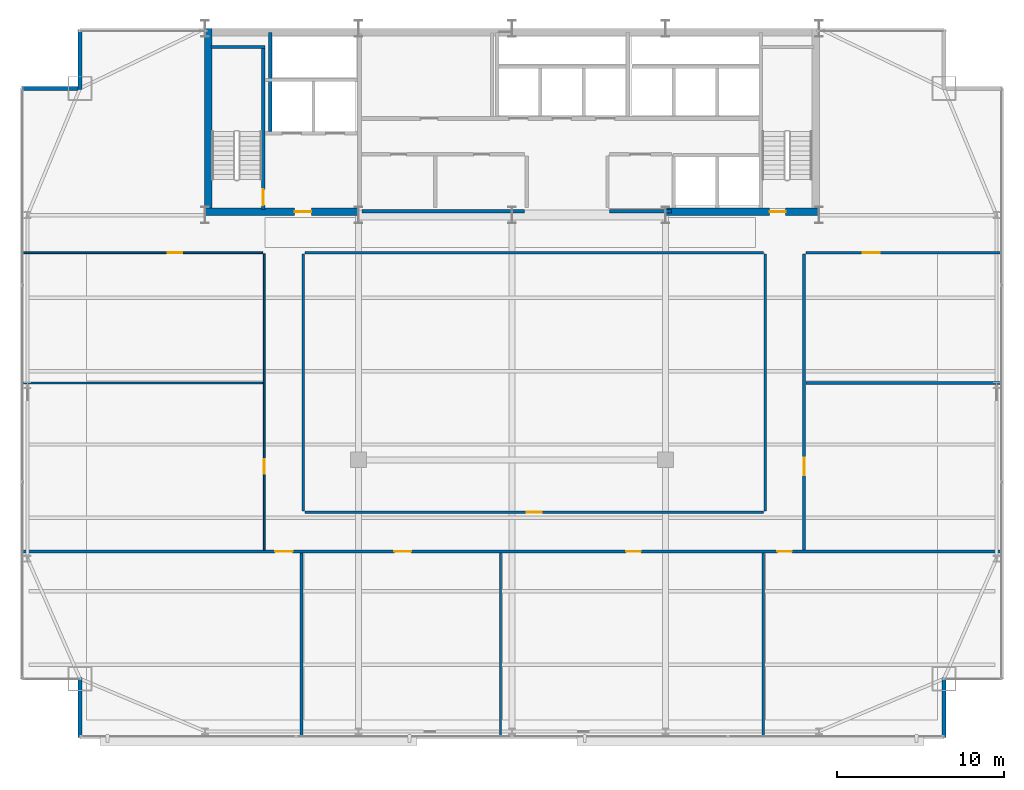
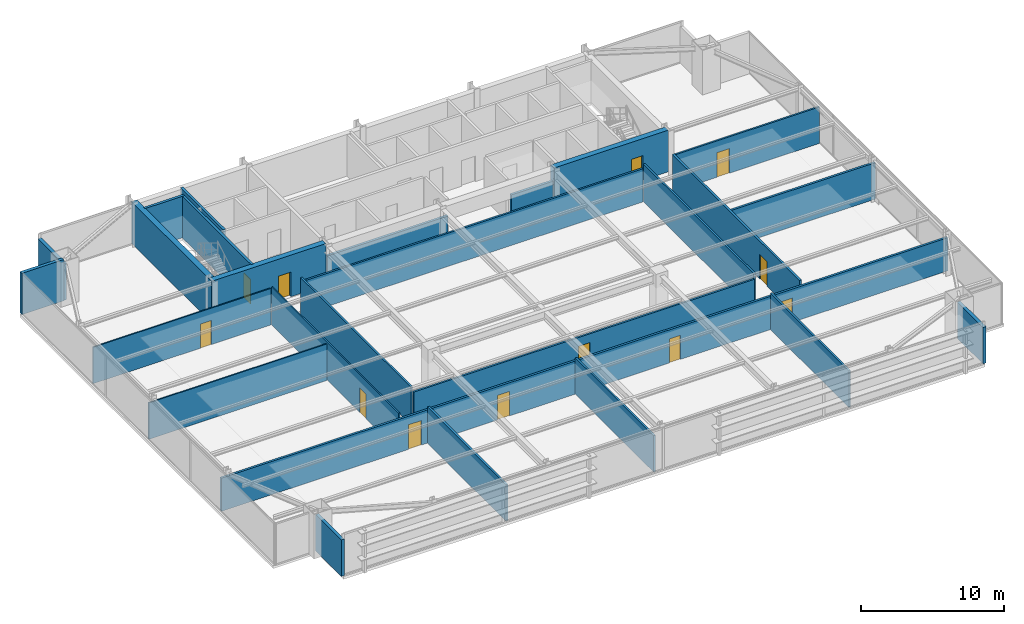
# One storey, part 29 of 33: 26 walls, 12 doors, 12 openings.
"""IFC4 building model written with IfcOpenShell, lengths in metres."""

import ifcopenshell
import ifcopenshell.guid

model = None  # the IFC model being written
_history = None  # IfcOwnerHistory: only IFC2X3 demands one
_inside = {}  # id of a spatial element -> (the spatial element, [elements in it])
_under = {}  # id of a project, library or spatial element -> (it, [spatial elements below it])
_declared = {}  # id of a project -> (the project, [libraries it declares])
_typed = {}  # id of a type object -> (the type object, [elements of that type])
_made_of = {}  # id of a material, layer set ... -> (it, [elements and type objects made of it])


def new_model(schema):
    """Start an empty IFC model of exactly this schema.

    Asked for "IFC4X3", IfcOpenShell would pick the latest addendum, in which some entities
    have other attributes; the version numbers below select the first issue.
    IFC2X3 requires an IfcOwnerHistory on every rooted entity: one is made here for all.
    """
    global model, _history
    if schema == "IFC4X3":
        model = ifcopenshell.file(schema_version=(4, 3, 0, 0))
    else:
        model = ifcopenshell.file(schema=schema)
    _inside.clear()
    _under.clear()
    _declared.clear()
    _typed.clear()
    _made_of.clear()
    _history = None
    if model.schema == "IFC2X3":
        org = make("IfcOrganization", Name="unknown")
        user = make(
            "IfcPersonAndOrganization",
            ThePerson=make("IfcPerson", FamilyName="unknown"),
            TheOrganization=org,
        )
        app = make(
            "IfcApplication",
            ApplicationDeveloper=org,
            Version="unknown",
            ApplicationFullName="unknown",
            ApplicationIdentifier="unknown",
        )
        _history = make(
            "IfcOwnerHistory",
            OwningUser=user,
            OwningApplication=app,
            ChangeAction="ADDED",
            CreationDate=0,
        )
    return model


def make(cls, **values):
    """One entity of the class cls with the attributes given. An attribute that is None is left unset."""
    return model.create_entity(
        cls, **{name: value for name, value in values.items() if value is not None}
    )


def rooted(cls, **values):
    """An entity with a GlobalId (a new one), such as an element, a storey or a relation."""
    return make(cls, GlobalId=ifcopenshell.guid.new(), OwnerHistory=_history, **values)


def si_unit(unit_type, name, prefix=None):
    """IfcSIUnit, for example si_unit("LENGTHUNIT", "METRE", prefix="MILLI")."""
    return make("IfcSIUnit", UnitType=unit_type, Prefix=prefix, Name=name)


def assignment(units):
    """IfcUnitAssignment: the units of a project."""
    return None if units is None else make("IfcUnitAssignment", Units=units)


def point(xyz):
    """IfcCartesianPoint."""
    return None if xyz is None else make("IfcCartesianPoint", Coordinates=xyz)


def direction(xyz):
    """IfcDirection."""
    return None if xyz is None else make("IfcDirection", DirectionRatios=xyz)


def frame(location, z_axis=None, x_axis=None):
    """IfcAxis2Placement3D, a coordinate frame: its origin and axes. An axis left out is left unset."""
    return make(
        "IfcAxis2Placement3D",
        Location=point(location),
        Axis=direction(z_axis),
        RefDirection=direction(x_axis),
    )


def frame_2d(location, x_axis=None):
    """IfcAxis2Placement2D, a coordinate frame in the plane: its origin and x axis."""
    return make(
        "IfcAxis2Placement2D", Location=point(location), RefDirection=direction(x_axis)
    )


def origin():
    """The frame at (0, 0, 0) with its axes left unset."""
    return frame((0.0, 0.0, 0.0))


def place(relative_to, where):
    """IfcLocalPlacement: puts the frame where relative to a parent placement (None: the world)."""
    return make(
        "IfcLocalPlacement", PlacementRelTo=relative_to, RelativePlacement=where
    )


def context(
    kind, dimensions, precision=None, world=None, true_north=None, identifier=None
):
    """IfcGeometricRepresentationContext, for example the 3D "Model" context."""
    return make(
        "IfcGeometricRepresentationContext",
        ContextIdentifier=identifier,
        ContextType=kind,
        CoordinateSpaceDimension=dimensions,
        Precision=precision,
        WorldCoordinateSystem=world,
        TrueNorth=true_north,
    )


def subcontext(parent, identifier, kind, view, scale=None):
    """IfcGeometricRepresentationSubContext, for example "Body" below "Model"."""
    return make(
        "IfcGeometricRepresentationSubContext",
        ContextIdentifier=identifier,
        ContextType=kind,
        ParentContext=parent,
        TargetScale=scale,
        TargetView=view,
    )


def project(units=None, contexts=None):
    """IfcProject with its units and contexts."""
    return rooted(
        "IfcProject",
        Name="project",
        RepresentationContexts=contexts,
        UnitsInContext=assignment(units),
    )


def spatial(cls, under=None, at=None, **own):
    """A site, building, storey or space (cls), placed at a placement, below another one or the project."""
    s = rooted(cls, ObjectPlacement=at, **own)
    if under is not None:
        _under.setdefault(under.id(), (under, []))[1].append(s)
    return s


def profile(cls, at=None, kind="AREA", **sizes):
    """A parametric profile (cls). Its sizes go by their IFC names, for example OverallWidth=200.0."""
    return make(cls, ProfileType=kind, Position=at, **sizes)


def rectangle(**sizes):
    """IfcRectangleProfileDef."""
    return profile("IfcRectangleProfileDef", **sizes)


def extrude(swept, where, along, depth):
    """IfcExtrudedAreaSolid: the profile swept, set in the frame where, extruded along a direction by depth."""
    return make(
        "IfcExtrudedAreaSolid",
        SweptArea=swept,
        Position=where,
        ExtrudedDirection=direction(along),
        Depth=depth,
    )


def shape(context_of_items, identifier, shape_type, items):
    """IfcShapeRepresentation: the items that make up one representation, for example the "Body"."""
    return make(
        "IfcShapeRepresentation",
        ContextOfItems=context_of_items,
        RepresentationIdentifier=identifier,
        RepresentationType=shape_type,
        Items=items,
    )


def source(mapping_origin, context_of_items, identifier, shape_type, items):
    """IfcRepresentationMap: a shape defined once, which mapped items show again and again."""
    return make(
        "IfcRepresentationMap",
        MappingOrigin=mapping_origin,
        MappedRepresentation=shape(context_of_items, identifier, shape_type, items),
    )


def transform(
    local_origin,
    x_axis=None,
    y_axis=None,
    z_axis=None,
    scale=None,
    scale2=None,
    scale3=None,
    uniform=True,
):
    """IfcCartesianTransformationOperator3D, or its non-uniform kind. x_axis, y_axis, z_axis: its Axis1, 2, 3."""
    if uniform:
        return make(
            "IfcCartesianTransformationOperator3D",
            Axis1=direction(x_axis),
            Axis2=direction(y_axis),
            LocalOrigin=point(local_origin),
            Scale=scale,
            Axis3=direction(z_axis),
        )
    return make(
        "IfcCartesianTransformationOperator3DnonUniform",
        Axis1=direction(x_axis),
        Axis2=direction(y_axis),
        LocalOrigin=point(local_origin),
        Scale=scale,
        Axis3=direction(z_axis),
        Scale2=scale2,
        Scale3=scale3,
    )


def mapped(mapping_source, mapping_target):
    """IfcMappedItem: shows the shape of a source again, moved by a transform."""
    return make(
        "IfcMappedItem", MappingSource=mapping_source, MappingTarget=mapping_target
    )


def material(Name=None, Category=None):
    """IfcMaterial."""
    return make("IfcMaterial", Name=Name, Category=Category)


def layer(
    of_material, thickness, ventilated=None, Name=None, Category=None, Priority=None
):
    """IfcMaterialLayer: one layer of a wall or slab, of a material (None: an air gap)."""
    return make(
        "IfcMaterialLayer",
        Material=of_material,
        LayerThickness=thickness,
        IsVentilated=ventilated,
        Name=Name,
        Category=Category,
        Priority=Priority,
    )


def layer_set(layers, Name=None):
    """IfcMaterialLayerSet."""
    return make("IfcMaterialLayerSet", MaterialLayers=layers, LayerSetName=Name)


def made_of(thing, what):
    """Note that an element or type object is made of a material, layer set ...; save() writes the relation."""
    if what is not None:
        _made_of.setdefault(what.id(), (what, []))[1].append(thing)
    return thing


def type_object(cls, material=None, **own):
    """A type object (cls), such as IfcWallType, which elements share."""
    return made_of(rooted(cls, **own), material)


def type_shapes(of_type, sources):
    """Give a type object the sources (RepresentationMaps) that its elements show as mapped items."""
    of_type.RepresentationMaps = sources


def element(
    cls,
    number,
    at=None,
    inside=None,
    cuts=None,
    type_object=None,
    material=None,
    context=None,
    identifier="Body",
    shape_type=None,
    held_by="IfcProductDefinitionShape",
    body=None,
    shapes=None,
    **own,
):
    """One element of the class cls, such as IfcWall. Its Tag is "e" and its number.

    at: its placement. inside: the storey or other place that contains it. cuts: it is an
    opening in that element (IfcRelVoidsElement). A single representation is given by context,
    identifier, shape_type and body (its items); several are given by shapes. held_by: the class
    of the entity that holds the representations. save() writes the other relations.
    """
    e = rooted(cls, Tag="e%d" % number, ObjectPlacement=at, **own)
    if body is not None:
        shapes = [shape(context, identifier, shape_type, body)]
    if shapes is not None:
        e.Representation = make(held_by, Representations=shapes)
    if inside is not None:
        _inside.setdefault(inside.id(), (inside, []))[1].append(e)
    if cuts is not None:
        rooted(
            "IfcRelVoidsElement", RelatingBuildingElement=cuts, RelatedOpeningElement=e
        )
    if type_object is not None:
        _typed.setdefault(type_object.id(), (type_object, []))[1].append(e)
    return made_of(e, material)


def fill(opening, filler):
    """IfcRelFillsElement: the door or window that sits in an opening."""
    return rooted(
        "IfcRelFillsElement",
        RelatingOpeningElement=opening,
        RelatedBuildingElement=filler,
    )


def aggregate(whole, parts):
    """IfcRelAggregates: a whole, such as a stair, and the parts it consists of."""
    return rooted("IfcRelAggregates", RelatingObject=whole, RelatedObjects=parts)


def save(model, path):
    """Write the relations noted so far, then the file.

    IfcRelAggregates (storeys below a building ...), IfcRelContainedInSpatialStructure (elements
    in a storey), IfcRelDefinesByType, IfcRelAssociatesMaterial and IfcRelDeclares: one each for
    every whole, place, type object, material and project.
    """
    for whole, parts in _under.values():
        aggregate(whole, parts)
    for where, things in _inside.values():
        rooted(
            "IfcRelContainedInSpatialStructure",
            RelatedElements=things,
            RelatingStructure=where,
        )
    for kind, things in _typed.values():
        rooted("IfcRelDefinesByType", RelatedObjects=things, RelatingType=kind)
    for what, things in _made_of.values():
        rooted("IfcRelAssociatesMaterial", RelatedObjects=things, RelatingMaterial=what)
    for by, libraries in _declared.values():
        rooted("IfcRelDeclares", RelatingContext=by, RelatedDefinitions=libraries)
    model.write(path)


model = new_model("IFC4")

# Units and contexts
model_context = context("Model", 3, precision=1e-05, world=origin(), true_north=direction((0.0, 1.0)))
body_context = subcontext(model_context, "Body", "Model", "MODEL_VIEW")
ifc_project = project(units=[si_unit("LENGTHUNIT", "METRE"), si_unit("AREAUNIT", "SQUARE_METRE"), si_unit("VOLUMEUNIT", "CUBIC_METRE"), si_unit("PLANEANGLEUNIT", "RADIAN"), si_unit("MASSUNIT", "GRAM", prefix="KILO")], contexts=[model_context])

# Site, building, storey
site_placement = place(None, origin())
site = spatial("IfcSite", under=ifc_project, at=site_placement, CompositionType="ELEMENT")
building_placement = place(site_placement, origin())
building = spatial("IfcBuilding", under=site, at=building_placement, Name="Varnel Quay Broadcast Tower", CompositionType="ELEMENT")
storey_placement = place(building_placement, frame((0.0, 0.0, 129.60009765625)))
storey = spatial("IfcBuildingStorey", under=building, at=storey_placement, Name="L31", CompositionType="ELEMENT", Elevation=129.60009765625)

# Wall, opening, door
ifc_material_1 = material(Name="Concrete CSA A23.3 C50/60", Category="concrete")
ifc_layer_1 = layer(ifc_material_1, 0.199951171875, Name="Concrete CSA A23.3 C50/60")
ifc_layer_set_1 = layer_set([ifc_layer_1], Name="Concrete CSA A23.3 C50/60")
wall_type_1 = type_object("IfcWallType", Name="Wall_CoreShaftShear200", PredefinedType="SHEAR", material=ifc_layer_set_1)
wall_1_placement = place(storey_placement, frame((19.080078125, 35.949951171875, 0.0), z_axis=(0.0, 0.0, 1.0), x_axis=(0.0, 1.0, 0.0)))
wall_1 = element("IfcWall", 1, at=wall_1_placement, inside=storey, type_object=wall_type_1, Name="L31 Stair 1 East Structural Wall", PredefinedType="SHEAR", context=body_context, shape_type="SweptSolid", body=[
    extrude(rectangle(XDim=9.650146484375, YDim=0.199951171875, at=frame_2d((4.8251953125, 0.0))), origin(), (0.0, 0.0, 1.0), 3.5498046875),
])
opening_1_placement = place(wall_1_placement, frame((0.25, 0.0, 0.0)))
opening_1 = element("IfcOpeningElement", 2, at=opening_1_placement, cuts=wall_1, Name="Opening D-L31-S1", PredefinedType="OPENING", context=body_context, shape_type="SweptSolid", body=[
    extrude(rectangle(XDim=0.949951171875, YDim=2.10009765625, at=frame_2d((0.47509765625, 1.050048828125))), frame((0.0, 0.10986328125, 0.0), z_axis=(0.0, -1.0, 0.0), x_axis=(1.0, 0.0, 0.0)), (0.0, 0.0, 1.0), 0.219970703125),
])
ifc_material_2 = material(Name="Insulated Fire-Rated Hollow Steel Door", Category="steel")
door_type_1 = type_object("IfcDoorType", Name="Door_FireStair950", OperationType="NOTDEFINED", PredefinedType="DOOR", material=ifc_material_2)
shared_shape_1 = source(origin(), body_context, "Body", "SweptSolid", [
    extrude(rectangle(XDim=0.949951171875, YDim=2.10009765625, at=frame_2d((0.47509765625, 1.050048828125))), frame((0.0, 0.02490234375, 0.0), z_axis=(0.0, -1.0, 0.0), x_axis=(1.0, 0.0, 0.0)), (0.0, 0.0, 1.0), 0.050048828125),
])
type_shapes(door_type_1, [shared_shape_1])
door_1_placement = place(opening_1_placement, origin())
door_1 = element("IfcDoor", 3, at=door_1_placement, inside=storey, type_object=door_type_1, Name="L31 Stair 1 Fire Door", OperationType="SINGLE_SWING_LEFT", OverallHeight=2.10009765625, OverallWidth=0.949951171875, PredefinedType="DOOR", context=body_context, shape_type="MappedRepresentation", body=[
    mapped(shared_shape_1, transform((0.0, 0.0, 0.0), x_axis=(1.0, 0.0, 0.0), y_axis=(0.0, 1.0, 0.0), z_axis=(0.0, 0.0, 1.0), scale=1.0)),
])
fill(opening_1, door_1)

# Walls
wall_2_placement = place(storey_placement, frame((15.949951171875, 45.679931640625, 0.0), z_axis=(0.0, 0.0, 1.0), x_axis=(1.0, 0.0, 0.0)))
element("IfcWall", 4, at=wall_2_placement, inside=storey, type_object=wall_type_1, Name="L31 Stair 1 North Structural Wall", PredefinedType="SHEAR", context=body_context, shape_type="SweptSolid", body=[
    extrude(rectangle(XDim=3.22998046875, YDim=0.199951171875, at=frame_2d((1.614990234375, 0.0))), origin(), (0.0, 0.0, 1.0), 3.5498046875),
])
wall_3_placement = place(storey_placement, frame((19.5, 40.60009765625, 0.0), z_axis=(0.0, 0.0, 1.0), x_axis=(0.0, 1.0, 0.0)))
element("IfcWall", 5, at=wall_3_placement, inside=storey, type_object=wall_type_1, Name="L31 Firefighter Lift Shaft West Wall", PredefinedType="SHEAR", context=body_context, shape_type="SweptSolid", body=[
    extrude(rectangle(XDim=5.949951171875, YDim=0.199951171875, at=frame_2d((2.97509765625, 0.0))), origin(), (0.0, 0.0, 1.0), 3.5498046875),
])
ifc_material_3 = material(Name="Concrete CSA A23.3 C60/75", Category="concrete")
ifc_layer_2 = layer(ifc_material_3, 0.449951171875, Name="Concrete CSA A23.3 C60/75")
ifc_layer_set_2 = layer_set([ifc_layer_2], Name="Concrete CSA A23.3 C60/75")
wall_type_2 = type_object("IfcWallType", Name="Wall_CoreShearInt450", PredefinedType="SHEAR", material=ifc_layer_set_2)
wall_4_placement = place(storey_placement, frame((15.794921875, 35.570068359375, 0.0), z_axis=(0.0, 0.0, 1.0), x_axis=(0.0, 1.0, 0.0)))
element("IfcWall", 6, at=wall_4_placement, inside=storey, type_object=wall_type_2, Name="L31 West Core Shear Wall", PredefinedType="SHEAR", context=body_context, shape_type="SweptSolid", body=[
    extrude(rectangle(XDim=11.22998046875, YDim=0.449951171875, at=frame_2d((5.614990234375, 0.0))), origin(), (0.0, 0.0, 1.0), 3.5498046875),
])

# Wall, opening, door
wall_5_placement = place(storey_placement, frame((15.570068359375, 35.794921875, 0.0), z_axis=(0.0, 0.0, 1.0), x_axis=(1.0, 0.0, 0.0)))
wall_5 = element("IfcWall", 7, at=wall_5_placement, inside=storey, type_object=wall_type_2, Name="L31 South-West Core Shear Wall", PredefinedType="SHEAR", context=body_context, shape_type="SweptSolid", body=[
    extrude(rectangle(XDim=9.22998046875, YDim=0.449951171875, at=frame_2d((4.614990234375, 0.0))), origin(), (0.0, 0.0, 1.0), 3.5498046875),
])
opening_2_placement = place(wall_5_placement, frame((5.39990234375, 0.0, 0.0)))
opening_2 = element("IfcOpeningElement", 8, at=opening_2_placement, cuts=wall_5, Name="Opening D-L31-FFL", PredefinedType="OPENING", context=body_context, shape_type="SweptSolid", body=[
    extrude(rectangle(XDim=1.0, YDim=2.10009765625, at=frame_2d((0.5, 1.050048828125))), frame((0.0, 0.23486328125, 0.0), z_axis=(0.0, -1.0, 0.0), x_axis=(1.0, 0.0, 0.0)), (0.0, 0.0, 1.0), 0.469970703125),
])
door_type_2 = type_object("IfcDoorType", Name="Door_FireLobby1000", OperationType="NOTDEFINED", PredefinedType="DOOR", material=ifc_material_2)
shared_shape_2 = source(origin(), body_context, "Body", "SweptSolid", [
    extrude(rectangle(XDim=1.0, YDim=2.10009765625, at=frame_2d((0.5, 1.050048828125))), frame((0.0, 0.02490234375, 0.0), z_axis=(0.0, -1.0, 0.0), x_axis=(1.0, 0.0, 0.0)), (0.0, 0.0, 1.0), 0.050048828125),
])
type_shapes(door_type_2, [shared_shape_2])
door_2_placement = place(opening_2_placement, origin())
door_2 = element("IfcDoor", 9, at=door_2_placement, inside=storey, type_object=door_type_2, Name="L31 Firefighting Lobby Door", OperationType="SINGLE_SWING_RIGHT", OverallHeight=2.10009765625, OverallWidth=1.0, PredefinedType="DOOR", context=body_context, shape_type="MappedRepresentation", body=[
    mapped(shared_shape_2, transform((0.0, 0.0, 0.0), x_axis=(1.0, 0.0, 0.0), y_axis=(0.0, 1.0, 0.0), z_axis=(0.0, 0.0, 1.0), scale=1.0)),
])
fill(opening_2, door_2)

wall_6_placement = place(storey_placement, frame((43.199951171875, 35.794921875, 0.0), z_axis=(0.0, 0.0, 1.0), x_axis=(1.0, 0.0, 0.0)))
wall_6 = element("IfcWall", 10, at=wall_6_placement, inside=storey, type_object=wall_type_2, Name="L31 South-East Core Shear Wall", PredefinedType="SHEAR", context=body_context, shape_type="SweptSolid", body=[
    extrude(rectangle(XDim=9.22998046875, YDim=0.449951171875, at=frame_2d((4.614990234375, 0.0))), origin(), (0.0, 0.0, 1.0), 3.5498046875),
])
opening_3_placement = place(wall_6_placement, frame((6.25, 0.0, 0.0)))
opening_3 = element("IfcOpeningElement", 11, at=opening_3_placement, cuts=wall_6, Name="Opening D-L31-S2", PredefinedType="OPENING", context=body_context, shape_type="SweptSolid", body=[
    extrude(rectangle(XDim=0.949951171875, YDim=2.10009765625, at=frame_2d((0.47509765625, 1.050048828125))), frame((0.0, 0.23486328125, 0.0), z_axis=(0.0, -1.0, 0.0), x_axis=(1.0, 0.0, 0.0)), (0.0, 0.0, 1.0), 0.469970703125),
])
door_3_placement = place(opening_3_placement, origin())
door_3 = element("IfcDoor", 12, at=door_3_placement, inside=storey, type_object=door_type_1, Name="L31 Stair 2 Fire Door", OperationType="SINGLE_SWING_LEFT", OverallHeight=2.10009765625, OverallWidth=0.949951171875, PredefinedType="DOOR", context=body_context, shape_type="MappedRepresentation", body=[
    mapped(shared_shape_1, transform((0.0, 0.0, 0.0), x_axis=(1.0, 0.0, 0.0), y_axis=(0.0, 1.0, 0.0), z_axis=(0.0, 0.0, 1.0), scale=1.0)),
])
fill(opening_3, door_3)

# Walls
ifc_material_4 = material(Name="Precast Architectural Concrete C40/50", Category="concrete")
ifc_layer_3 = layer(ifc_material_4, 0.25, Name="Precast Architectural Concrete C40/50")
ifc_layer_set_3 = layer_set([ifc_layer_3], Name="Precast Architectural Concrete C40/50")
wall_type_3 = type_object("IfcWallType", Name="Wall_ExtTerrace250", PredefinedType="SOLIDWALL", material=ifc_layer_set_3)
for number, where, z_axis, x_axis, name in (
    (13, (8.10009765625, 4.280029296875, 0.0), (0.0, 0.0, 1.0), (0.0, 1.0, 0.0), "L31 Mega-Column Notch Cladding Wall NSW2"),
    (14, (59.89990234375, 4.280029296875, 0.0), (0.0, 0.0, 1.0), (0.0, 1.0, 0.0), "L31 Mega-Column Notch Cladding Wall NSE2"),
):
    element("IfcWall", number, at=place(storey_placement, frame(where, z_axis=z_axis, x_axis=x_axis)), inside=storey, type_object=wall_type_3, Name=name, PredefinedType="SOLIDWALL", context=body_context, shape_type="SweptSolid", body=[
        extrude(rectangle(XDim=3.599853515625, YDim=0.25, at=frame_2d((1.7998046875, 0.0))), origin(), (0.0, 0.0, 1.0), 3.10791015625),
    ])
wall_7_placement = place(storey_placement, frame((4.580078125, 43.199951171875, 0.0), z_axis=(0.0, 0.0, 1.0), x_axis=(1.0, 0.0, 0.0)))
element("IfcWall", 15, at=wall_7_placement, inside=storey, type_object=wall_type_3, Name="L31 Mega-Column Notch Cladding Wall NNW1", PredefinedType="SOLIDWALL", context=body_context, shape_type="SweptSolid", body=[
    extrude(rectangle(XDim=3.389892578125, YDim=0.25, at=frame_2d((1.69482421875, 0.0))), origin(), (0.0, 0.0, 1.0), 3.52978515625),
])
wall_8_placement = place(storey_placement, frame((8.10009765625, 43.1201171875, 0.0), z_axis=(0.0, 0.0, 1.0), x_axis=(0.0, 1.0, 0.0)))
element("IfcWall", 16, at=wall_8_placement, inside=storey, type_object=wall_type_3, Name="L31 Mega-Column Notch Cladding Wall NNW2", PredefinedType="SOLIDWALL", context=body_context, shape_type="SweptSolid", body=[
    extrude(rectangle(XDim=3.599853515625, YDim=0.25, at=frame_2d((1.7998046875, 0.0))), origin(), (0.0, 0.0, 1.0), 3.10791015625),
])
ifc_material_5 = material(Name="Concrete Blockwork Fire Enclosure C40/50", Category="masonry")
ifc_layer_4 = layer(ifc_material_5, 0.199951171875, Name="Concrete Blockwork Fire Enclosure C40/50")
ifc_layer_set_4 = layer_set([ifc_layer_4], Name="Concrete Blockwork Fire Enclosure C40/50")
wall_type_4 = type_object("IfcWallType", Name="Wall_FireShaft200", PredefinedType="SOLIDWALL", material=ifc_layer_set_4)
wall_9_placement = place(storey_placement, frame((39.85009765625, 35.824951171875, 0.0), z_axis=(0.0, 0.0, 1.0), x_axis=(1.0, 0.0, 0.0)))
element("IfcWall", 17, at=wall_9_placement, inside=storey, type_object=wall_type_4, Name="L31 Electrical Sub-Distribution Closet Partition 5", PredefinedType="SOLIDWALL", context=body_context, shape_type="SweptSolid", body=[
    extrude(rectangle(XDim=3.699951171875, YDim=0.199951171875, at=frame_2d((1.85009765625, 0.0))), origin(), (0.0, 0.0, 1.0), 2.324951171875),
])

# Wall, opening, door
ifc_material_6 = material(Name="Steel-Stud Fire-Rated Acoustic Gypsum Partition Assembly", Category="steel")
ifc_layer_5 = layer(ifc_material_6, 0.10498046875, Name="Steel-Stud Fire-Rated Acoustic Gypsum Partition Assembly")
ifc_layer_set_5 = layer_set([ifc_layer_5], Name="Steel-Stud Fire-Rated Acoustic Gypsum Partition Assembly")
wall_type_5 = type_object("IfcWallType", Name="Wall_Partition105", PredefinedType="PARTITIONING", material=ifc_layer_set_5)
wall_10_placement = place(storey_placement, frame((19.139892578125, 15.51806640625, 0.0), z_axis=(0.0, 0.0, 1.0), x_axis=(0.0, 1.0, 0.0)))
wall_10 = element("IfcWall", 18, at=wall_10_placement, inside=storey, type_object=wall_type_5, Name="L31 Lens & Rigging Store 5 Partition 12", PredefinedType="PARTITIONING", context=body_context, shape_type="SweptSolid", body=[
    extrude(rectangle(XDim=17.779052734375, YDim=0.10498046875, at=frame_2d((8.8896484375, 0.0))), origin(), (0.0, 0.0, 1.0), 3.221923828125),
])
opening_4_placement = place(wall_10_placement, frame((4.572021484375, 0.0, 0.0)))
opening_4 = element("IfcOpeningElement", 19, at=opening_4_placement, cuts=wall_10, Name="Opening D-L31-08", PredefinedType="OPENING", context=body_context, shape_type="SweptSolid", body=[
    extrude(rectangle(XDim=0.8798828125, YDim=2.06005859375, at=frame_2d((0.43994140625, 1.030029296875))), frame((0.0, 0.0625, 0.0), z_axis=(0.0, -1.0, 0.0), x_axis=(1.0, 0.0, 0.0)), (0.0, 0.0, 1.0), 0.125),
])
ifc_material_7 = material(Name="Solid-Core Fire-Rated Acoustic Oak Veneer Door", Category="wood")
door_type_3 = type_object("IfcDoorType", Name="Door_Booth880", OperationType="NOTDEFINED", PredefinedType="DOOR", material=ifc_material_7)
shared_shape_3 = source(origin(), body_context, "Body", "SweptSolid", [
    extrude(rectangle(XDim=0.8798828125, YDim=2.06005859375, at=frame_2d((0.43994140625, 1.030029296875))), frame((0.0, 0.02490234375, 0.0), z_axis=(0.0, -1.0, 0.0), x_axis=(1.0, 0.0, 0.0)), (0.0, 0.0, 1.0), 0.050048828125),
])
type_shapes(door_type_3, [shared_shape_3])
door_4_placement = place(opening_4_placement, origin())
door_4 = element("IfcDoor", 20, at=door_4_placement, inside=storey, type_object=door_type_3, Name="L31 Lens & Rigging Store 5 Door D-L31-08", OperationType="SINGLE_SWING_RIGHT", OverallHeight=2.06005859375, OverallWidth=0.8798828125, PredefinedType="DOOR", context=body_context, shape_type="MappedRepresentation", body=[
    mapped(shared_shape_3, transform((0.0, 0.0, 0.0), x_axis=(1.0, 0.0, 0.0), y_axis=(0.0, 1.0, 0.0), z_axis=(0.0, 0.0, 1.0), scale=1.0)),
])
fill(opening_4, door_4)

# Wall
wall_11_placement = place(storey_placement, frame((4.679931640625, 25.530029296875, 0.0), z_axis=(0.0, 0.0, 1.0), x_axis=(1.0, 0.0, 0.0)))
element("IfcWall", 21, at=wall_11_placement, inside=storey, type_object=wall_type_5, Name="L31 Lens & Rigging Store 5 Partition 13", PredefinedType="PARTITIONING", context=body_context, shape_type="SweptSolid", body=[
    extrude(rectangle(XDim=14.360107421875, YDim=0.10498046875, at=frame_2d((7.18017578125, 0.0))), origin(), (0.0, 0.0, 1.0), 3.10791015625),
])

# Wall, opening, door
wall_12_placement = place(storey_placement, frame((4.679931640625, 33.35009765625, 0.0), z_axis=(0.0, 0.0, 1.0), x_axis=(1.0, 0.0, 0.0)))
wall_12 = element("IfcWall", 22, at=wall_12_placement, inside=storey, type_object=wall_type_5, Name="L31 Ingest Vault Store 6 Partition 14", PredefinedType="PARTITIONING", context=body_context, shape_type="SweptSolid", body=[
    extrude(rectangle(XDim=14.360107421875, YDim=0.10498046875, at=frame_2d((7.18017578125, 0.0))), origin(), (0.0, 0.0, 1.0), 3.10791015625),
])
opening_5_placement = place(wall_12_placement, frame((8.675048828125, 0.0, 0.0)))
opening_5 = element("IfcOpeningElement", 23, at=opening_5_placement, cuts=wall_12, Name="Opening D-L31-09", PredefinedType="OPENING", context=body_context, shape_type="SweptSolid", body=[
    extrude(rectangle(XDim=0.8798828125, YDim=2.06005859375, at=frame_2d((0.43994140625, 1.030029296875))), frame((0.0, 0.0625, 0.0), z_axis=(0.0, -1.0, 0.0), x_axis=(1.0, 0.0, 0.0)), (0.0, 0.0, 1.0), 0.125),
])
door_5_placement = place(opening_5_placement, frame((0.8798828125, 0.0, 0.0), z_axis=(0.0, 0.0, 1.0), x_axis=(-1.0, 0.0, 0.0)))
door_5 = element("IfcDoor", 24, at=door_5_placement, inside=storey, type_object=door_type_3, Name="L31 Ingest Vault Store 6 Door D-L31-09", OperationType="SINGLE_SWING_LEFT", OverallHeight=2.06005859375, OverallWidth=0.8798828125, PredefinedType="DOOR", context=body_context, shape_type="MappedRepresentation", body=[
    mapped(shared_shape_3, transform((0.0, 0.0, 0.0), x_axis=(1.0, 0.0, 0.0), y_axis=(0.0, 1.0, 0.0), z_axis=(0.0, 0.0, 1.0), scale=1.0)),
])
fill(opening_5, door_5)

# Wall
ifc_layer_6 = layer(ifc_material_6, 0.139892578125, Name="Steel-Stud Fire-Rated Acoustic Gypsum Partition Assembly")
ifc_layer_set_6 = layer_set([ifc_layer_6], Name="Steel-Stud Fire-Rated Acoustic Gypsum Partition Assembly")
wall_type_6 = type_object("IfcWallType", Name="Wall_Partition140", PredefinedType="PARTITIONING", material=ifc_layer_set_6)
wall_13_placement = place(storey_placement, frame((33.31005859375, 4.3798828125, 0.0), z_axis=(0.0, 0.0, 1.0), x_axis=(0.0, 1.0, 0.0)))
element("IfcWall", 25, at=wall_13_placement, inside=storey, type_object=wall_type_6, Name="L31 Producer Lounge 2 Partition 10", PredefinedType="PARTITIONING", context=body_context, shape_type="SweptSolid", body=[
    extrude(rectangle(XDim=10.962158203125, YDim=0.139892578125, at=frame_2d((5.48095703125, 0.0))), origin(), (0.0, 0.0, 1.0), 3.10791015625),
])

# Wall, opening, door
wall_14_placement = place(storey_placement, frame((51.6201171875, 33.35009765625, 0.0), z_axis=(0.0, 0.0, 1.0), x_axis=(1.0, 0.0, 0.0)))
wall_14 = element("IfcWall", 26, at=wall_14_placement, inside=storey, type_object=wall_type_6, Name="L31 Producer Lounge 9 Partition 21", PredefinedType="PARTITIONING", context=body_context, shape_type="SweptSolid", body=[
    extrude(rectangle(XDim=11.699951171875, YDim=0.139892578125, at=frame_2d((5.85009765625, 0.0))), origin(), (0.0, 0.0, 1.0), 3.10791015625),
])
opening_6_placement = place(wall_14_placement, frame((3.4150390625, 0.0, 0.0)))
opening_6 = element("IfcOpeningElement", 27, at=opening_6_placement, cuts=wall_14, Name="Opening D-L31-12", PredefinedType="OPENING", context=body_context, shape_type="SweptSolid", body=[
    extrude(rectangle(XDim=1.0, YDim=2.10009765625, at=frame_2d((0.5, 1.050048828125))), frame((0.0, 0.080078125, 0.0), z_axis=(0.0, -1.0, 0.0), x_axis=(1.0, 0.0, 0.0)), (0.0, 0.0, 1.0), 0.159912109375),
])
door_type_4 = type_object("IfcDoorType", Name="Door_Exec1000", OperationType="NOTDEFINED", PredefinedType="DOOR", material=ifc_material_7)
shared_shape_4 = source(origin(), body_context, "Body", "SweptSolid", [
    extrude(rectangle(XDim=1.0, YDim=2.10009765625, at=frame_2d((0.5, 1.050048828125))), frame((0.0, 0.02490234375, 0.0), z_axis=(0.0, -1.0, 0.0), x_axis=(1.0, 0.0, 0.0)), (0.0, 0.0, 1.0), 0.050048828125),
])
type_shapes(door_type_4, [shared_shape_4])
door_6_placement = place(opening_6_placement, frame((1.0, 0.0, 0.0), z_axis=(0.0, 0.0, 1.0), x_axis=(-1.0, 0.0, 0.0)))
door_6 = element("IfcDoor", 28, at=door_6_placement, inside=storey, type_object=door_type_4, Name="L31 Producer Lounge 9 Door D-L31-12", OperationType="SINGLE_SWING_RIGHT", OverallHeight=2.10009765625, OverallWidth=1.0, PredefinedType="DOOR", context=body_context, shape_type="MappedRepresentation", body=[
    mapped(shared_shape_4, transform((0.0, 0.0, 0.0), x_axis=(1.0, 0.0, 0.0), y_axis=(0.0, 1.0, 0.0), z_axis=(0.0, 0.0, 1.0), scale=1.0)),
])
fill(opening_6, door_6)

# Wall
ifc_layer_7 = layer(ifc_material_6, 0.14990234375, Name="Steel-Stud Fire-Rated Acoustic Gypsum Partition Assembly")
ifc_layer_set_7 = layer_set([ifc_layer_7], Name="Steel-Stud Fire-Rated Acoustic Gypsum Partition Assembly")
wall_type_7 = type_object("IfcWallType", Name="Wall_Partition150", PredefinedType="PARTITIONING", material=ifc_layer_set_7)
wall_15_placement = place(storey_placement, frame((49.070068359375, 4.3798828125, 0.0), z_axis=(0.0, 0.0, 1.0), x_axis=(0.0, 1.0, 0.0)))
element("IfcWall", 29, at=wall_15_placement, inside=storey, type_object=wall_type_7, Name="L31 Tea Kitchen 3 Partition 11", PredefinedType="PARTITIONING", context=body_context, shape_type="SweptSolid", body=[
    extrude(rectangle(XDim=10.962158203125, YDim=0.14990234375, at=frame_2d((5.48095703125, 0.0))), origin(), (0.0, 0.0, 1.0), 3.10791015625),
])

# Wall, opening, door
wall_16_placement = place(storey_placement, frame((21.590087890625, 17.780029296875, 0.0), z_axis=(0.0, 0.0, 1.0), x_axis=(1.0, 0.0, 0.0)))
wall_16 = element("IfcWall", 30, at=wall_16_placement, inside=storey, type_object=wall_type_7, Name="L31 Color Timing Suite 7 Partition 15", PredefinedType="PARTITIONING", context=body_context, shape_type="SweptSolid", body=[
    extrude(rectangle(XDim=27.47998046875, YDim=0.14990234375, at=frame_2d((13.739990234375, 0.0))), origin(), (0.0, 0.0, 1.0), 2.829833984375),
])
opening_7_placement = place(wall_16_placement, frame((13.280029296875, 0.0, 0.0)))
opening_7 = element("IfcOpeningElement", 31, at=opening_7_placement, cuts=wall_16, Name="Opening D-L31-10", PredefinedType="OPENING", context=body_context, shape_type="SweptSolid", body=[
    extrude(rectangle(XDim=0.919921875, YDim=2.080078125, at=frame_2d((0.4599609375, 1.0400390625))), frame((0.0, 0.0849609375, 0.0), z_axis=(0.0, -1.0, 0.0), x_axis=(1.0, 0.0, 0.0)), (0.0, 0.0, 1.0), 0.169921875),
])
door_type_5 = type_object("IfcDoorType", Name="Door_Office920", OperationType="NOTDEFINED", PredefinedType="DOOR", material=ifc_material_7)
shared_shape_5 = source(origin(), body_context, "Body", "SweptSolid", [
    extrude(rectangle(XDim=0.919921875, YDim=2.080078125, at=frame_2d((0.4599609375, 1.0400390625))), frame((0.0, 0.02490234375, 0.0), z_axis=(0.0, -1.0, 0.0), x_axis=(1.0, 0.0, 0.0)), (0.0, 0.0, 1.0), 0.050048828125),
])
type_shapes(door_type_5, [shared_shape_5])
door_7_placement = place(opening_7_placement, origin())
door_7 = element("IfcDoor", 32, at=door_7_placement, inside=storey, type_object=door_type_5, Name="L31 Color Timing Suite 7 Door D-L31-10", OperationType="SINGLE_SWING_RIGHT", OverallHeight=2.080078125, OverallWidth=0.919921875, PredefinedType="DOOR", context=body_context, shape_type="MappedRepresentation", body=[
    mapped(shared_shape_5, transform((0.0, 0.0, 0.0), x_axis=(1.0, 0.0, 0.0), y_axis=(0.0, 1.0, 0.0), z_axis=(0.0, 0.0, 1.0), scale=1.0)),
])
fill(opening_7, door_7)

# Walls
wall_17_placement = place(storey_placement, frame((49.169921875, 17.85498046875, 0.0), z_axis=(0.0, 0.0, 1.0), x_axis=(0.0, 1.0, 0.0)))
element("IfcWall", 33, at=wall_17_placement, inside=storey, type_object=wall_type_7, Name="L31 Color Timing Suite 7 Partition 16", PredefinedType="PARTITIONING", context=body_context, shape_type="SweptSolid", body=[
    extrude(rectangle(XDim=15.419921875, YDim=0.14990234375, at=frame_2d((7.7099609375, 0.0))), origin(), (0.0, 0.0, 1.0), 3.221923828125),
])
wall_18_placement = place(storey_placement, frame((21.590087890625, 33.35009765625, 0.0), z_axis=(0.0, 0.0, 1.0), x_axis=(1.0, 0.0, 0.0)))
element("IfcWall", 34, at=wall_18_placement, inside=storey, type_object=wall_type_7, Name="L31 Color Timing Suite 7 Partition 17", PredefinedType="PARTITIONING", context=body_context, shape_type="SweptSolid", body=[
    extrude(rectangle(XDim=27.47998046875, YDim=0.14990234375, at=frame_2d((13.739990234375, 0.0))), origin(), (0.0, 0.0, 1.0), 2.829833984375),
])
wall_19_placement = place(storey_placement, frame((21.489990234375, 17.85498046875, 0.0), z_axis=(0.0, 0.0, 1.0), x_axis=(0.0, 1.0, 0.0)))
element("IfcWall", 35, at=wall_19_placement, inside=storey, type_object=wall_type_7, Name="L31 Color Timing Suite 7 Partition 18", PredefinedType="PARTITIONING", context=body_context, shape_type="SweptSolid", body=[
    extrude(rectangle(XDim=15.419921875, YDim=0.14990234375, at=frame_2d((7.7099609375, 0.0))), origin(), (0.0, 0.0, 1.0), 3.221923828125),
])
ifc_layer_8 = layer(ifc_material_6, 0.175048828125, Name="Steel-Stud Fire-Rated Acoustic Gypsum Partition Assembly")
ifc_layer_set_8 = layer_set([ifc_layer_8], Name="Steel-Stud Fire-Rated Acoustic Gypsum Partition Assembly")
wall_type_8 = type_object("IfcWallType", Name="Wall_Partition175", PredefinedType="PARTITIONING", material=ifc_layer_set_8)
wall_20_placement = place(storey_placement, frame((21.389892578125, 4.3798828125, 0.0), z_axis=(0.0, 0.0, 1.0), x_axis=(0.0, 1.0, 0.0)))
element("IfcWall", 36, at=wall_20_placement, inside=storey, type_object=wall_type_8, Name="L31 Screening Meeting Room 1 Partition 8", PredefinedType="PARTITIONING", context=body_context, shape_type="SweptSolid", body=[
    extrude(rectangle(XDim=10.962158203125, YDim=0.175048828125, at=frame_2d((5.48095703125, 0.0))), origin(), (0.0, 0.0, 1.0), 3.10791015625),
])

# Wall, openings, doors
wall_21_placement = place(storey_placement, frame((4.679931640625, 15.429931640625, 0.0), z_axis=(0.0, 0.0, 1.0), x_axis=(1.0, 0.0, 0.0)))
wall_21 = element("IfcWall", 37, at=wall_21_placement, inside=storey, type_object=wall_type_8, Name="L31 Screening Meeting Room 1 Partition 9", PredefinedType="PARTITIONING", context=body_context, shape_type="SweptSolid", body=[
    extrude(rectangle(XDim=58.64013671875, YDim=0.175048828125, at=frame_2d((29.320068359375, 0.0))), origin(), (0.0, 0.0, 1.0), 2.829833984375),
])
opening_8_placement = place(wall_21_placement, frame((15.110107421875, 0.0, 0.0)))
opening_8 = element("IfcOpeningElement", 38, at=opening_8_placement, cuts=wall_21, Name="Opening D-L31-04", PredefinedType="OPENING", context=body_context, shape_type="SweptSolid", body=[
    extrude(rectangle(XDim=1.050048828125, YDim=2.10009765625, at=frame_2d((0.52490234375, 1.050048828125))), frame((0.0, 0.09765625, 0.0), z_axis=(0.0, -1.0, 0.0), x_axis=(1.0, 0.0, 0.0)), (0.0, 0.0, 1.0), 0.195068359375),
])
opening_9_placement = place(wall_21_placement, frame((22.27001953125, 0.0, 0.0)))
opening_9 = element("IfcOpeningElement", 39, at=opening_9_placement, cuts=wall_21, Name="Opening D-L31-05", PredefinedType="OPENING", context=body_context, shape_type="SweptSolid", body=[
    extrude(rectangle(XDim=1.0, YDim=2.10009765625, at=frame_2d((0.5, 1.050048828125))), frame((0.0, 0.09765625, 0.0), z_axis=(0.0, -1.0, 0.0), x_axis=(1.0, 0.0, 0.0)), (0.0, 0.0, 1.0), 0.195068359375),
])
opening_10_placement = place(wall_21_placement, frame((36.169921875, 0.0, 0.0)))
opening_10 = element("IfcOpeningElement", 40, at=opening_10_placement, cuts=wall_21, Name="Opening D-L31-06", PredefinedType="OPENING", context=body_context, shape_type="SweptSolid", body=[
    extrude(rectangle(XDim=0.8798828125, YDim=2.06005859375, at=frame_2d((0.43994140625, 1.030029296875))), frame((0.0, 0.09765625, 0.0), z_axis=(0.0, -1.0, 0.0), x_axis=(1.0, 0.0, 0.0)), (0.0, 0.0, 1.0), 0.195068359375),
])
opening_11_placement = place(wall_21_placement, frame((45.22509765625, 0.0, 0.0)))
opening_11 = element("IfcOpeningElement", 41, at=opening_11_placement, cuts=wall_21, Name="Opening D-L31-07", PredefinedType="OPENING", context=body_context, shape_type="SweptSolid", body=[
    extrude(rectangle(XDim=0.8798828125, YDim=2.06005859375, at=frame_2d((0.43994140625, 1.030029296875))), frame((0.0, 0.09765625, 0.0), z_axis=(0.0, -1.0, 0.0), x_axis=(1.0, 0.0, 0.0)), (0.0, 0.0, 1.0), 0.195068359375),
])
door_8_placement = place(opening_10_placement, frame((0.8798828125, 0.0, 0.0), z_axis=(0.0, 0.0, 1.0), x_axis=(-1.0, 0.0, 0.0)))
door_8 = element("IfcDoor", 42, at=door_8_placement, inside=storey, type_object=door_type_3, Name="L31 Tea Kitchen 3 Door D-L31-06", OperationType="SINGLE_SWING_RIGHT", OverallHeight=2.06005859375, OverallWidth=0.8798828125, PredefinedType="DOOR", context=body_context, shape_type="MappedRepresentation", body=[
    mapped(shared_shape_3, transform((0.0, 0.0, 0.0), x_axis=(1.0, 0.0, 0.0), y_axis=(0.0, 1.0, 0.0), z_axis=(0.0, 0.0, 1.0), scale=1.0)),
])
fill(opening_10, door_8)
door_9_placement = place(opening_11_placement, frame((0.8798828125, 0.0, 0.0), z_axis=(0.0, 0.0, 1.0), x_axis=(-1.0, 0.0, 0.0)))
door_9 = element("IfcDoor", 43, at=door_9_placement, inside=storey, type_object=door_type_3, Name="L31 Media Tape Archive Store 4 Door D-L31-07", OperationType="SINGLE_SWING_LEFT", OverallHeight=2.06005859375, OverallWidth=0.8798828125, PredefinedType="DOOR", context=body_context, shape_type="MappedRepresentation", body=[
    mapped(shared_shape_3, transform((0.0, 0.0, 0.0), x_axis=(1.0, 0.0, 0.0), y_axis=(0.0, 1.0, 0.0), z_axis=(0.0, 0.0, 1.0), scale=1.0)),
])
fill(opening_11, door_9)
door_10_placement = place(opening_9_placement, frame((1.0, 0.0, 0.0), z_axis=(0.0, 0.0, 1.0), x_axis=(-1.0, 0.0, 0.0)))
door_10 = element("IfcDoor", 44, at=door_10_placement, inside=storey, type_object=door_type_4, Name="L31 Producer Lounge 2 Door D-L31-05", OperationType="SINGLE_SWING_LEFT", OverallHeight=2.10009765625, OverallWidth=1.0, PredefinedType="DOOR", context=body_context, shape_type="MappedRepresentation", body=[
    mapped(shared_shape_4, transform((0.0, 0.0, 0.0), x_axis=(1.0, 0.0, 0.0), y_axis=(0.0, 1.0, 0.0), z_axis=(0.0, 0.0, 1.0), scale=1.0)),
])
fill(opening_9, door_10)
door_type_6 = type_object("IfcDoorType", Name="Door_Meeting1050", OperationType="NOTDEFINED", PredefinedType="DOOR", material=ifc_material_7)
shared_shape_6 = source(origin(), body_context, "Body", "SweptSolid", [
    extrude(rectangle(XDim=1.050048828125, YDim=2.10009765625, at=frame_2d((0.52490234375, 1.050048828125))), frame((0.0, 0.02490234375, 0.0), z_axis=(0.0, -1.0, 0.0), x_axis=(1.0, 0.0, 0.0)), (0.0, 0.0, 1.0), 0.050048828125),
])
type_shapes(door_type_6, [shared_shape_6])
door_11_placement = place(opening_8_placement, frame((1.050048828125, 0.0, 0.0), z_axis=(0.0, 0.0, 1.0), x_axis=(-1.0, 0.0, 0.0)))
door_11 = element("IfcDoor", 45, at=door_11_placement, inside=storey, type_object=door_type_6, Name="L31 Screening Meeting Room 1 Door D-L31-04", OperationType="SINGLE_SWING_RIGHT", OverallHeight=2.10009765625, OverallWidth=1.050048828125, PredefinedType="DOOR", context=body_context, shape_type="MappedRepresentation", body=[
    mapped(shared_shape_6, transform((0.0, 0.0, 0.0), x_axis=(1.0, 0.0, 0.0), y_axis=(0.0, 1.0, 0.0), z_axis=(0.0, 0.0, 1.0), scale=1.0)),
])
fill(opening_8, door_11)

# Wall
wall_22_placement = place(storey_placement, frame((51.6201171875, 25.530029296875, 0.0), z_axis=(0.0, 0.0, 1.0), x_axis=(1.0, 0.0, 0.0)))
element("IfcWall", 46, at=wall_22_placement, inside=storey, type_object=wall_type_8, Name="L31 Screening Meeting Room 8 Partition 19", PredefinedType="PARTITIONING", context=body_context, shape_type="SweptSolid", body=[
    extrude(rectangle(XDim=11.699951171875, YDim=0.175048828125, at=frame_2d((5.85009765625, 0.0))), origin(), (0.0, 0.0, 1.0), 3.10791015625),
])

# Wall, opening, door
wall_23_placement = place(storey_placement, frame((51.52001953125, 15.51806640625, 0.0), z_axis=(0.0, 0.0, 1.0), x_axis=(0.0, 1.0, 0.0)))
wall_23 = element("IfcWall", 47, at=wall_23_placement, inside=storey, type_object=wall_type_8, Name="L31 Screening Meeting Room 8 Partition 20", PredefinedType="PARTITIONING", context=body_context, shape_type="SweptSolid", body=[
    extrude(rectangle(XDim=17.761962890625, YDim=0.175048828125, at=frame_2d((8.880859375, 0.0))), origin(), (0.0, 0.0, 1.0), 3.221923828125),
])
opening_12_placement = place(wall_23_placement, frame((4.487060546875, 0.0, 0.0)))
opening_12 = element("IfcOpeningElement", 48, at=opening_12_placement, cuts=wall_23, Name="Opening D-L31-11", PredefinedType="OPENING", context=body_context, shape_type="SweptSolid", body=[
    extrude(rectangle(XDim=1.050048828125, YDim=2.10009765625, at=frame_2d((0.52490234375, 1.050048828125))), frame((0.0, 0.09765625, 0.0), z_axis=(0.0, -1.0, 0.0), x_axis=(1.0, 0.0, 0.0)), (0.0, 0.0, 1.0), 0.195068359375),
])
door_12_placement = place(opening_12_placement, frame((1.050048828125, 0.0, 0.0), z_axis=(0.0, 0.0, 1.0), x_axis=(-1.0, 0.0, 0.0)))
door_12 = element("IfcDoor", 49, at=door_12_placement, inside=storey, type_object=door_type_6, Name="L31 Screening Meeting Room 8 Door D-L31-11", OperationType="SINGLE_SWING_LEFT", OverallHeight=2.10009765625, OverallWidth=1.050048828125, PredefinedType="DOOR", context=body_context, shape_type="MappedRepresentation", body=[
    mapped(shared_shape_6, transform((0.0, 0.0, 0.0), x_axis=(1.0, 0.0, 0.0), y_axis=(0.0, 1.0, 0.0), z_axis=(0.0, 0.0, 1.0), scale=1.0)),
])
fill(opening_12, door_12)

# Wall
ifc_material_8 = material(Name="Fire-Rated Moisture-Resistant Plumbing Chase Partition")
ifc_layer_9 = layer(ifc_material_8, 0.199951171875, Name="Fire-Rated Moisture-Resistant Plumbing Chase Partition")
ifc_layer_set_9 = layer_set([ifc_layer_9], Name="Fire-Rated Moisture-Resistant Plumbing Chase Partition")
wall_type_9 = type_object("IfcWallType", Name="Wall_Plumbing200", PredefinedType="PLUMBINGWALL", material=ifc_layer_set_9)
wall_24_placement = place(storey_placement, frame((25.0, 35.824951171875, 0.0), z_axis=(0.0, 0.0, 1.0), x_axis=(1.0, 0.0, 0.0)))
element("IfcWall", 50, at=wall_24_placement, inside=storey, type_object=wall_type_9, Name="L31 Accessible Washroom Partition 1", PredefinedType="PLUMBINGWALL", context=body_context, shape_type="SweptSolid", body=[
    extrude(rectangle(XDim=9.75, YDim=0.199951171875, at=frame_2d((4.875, 0.0))), origin(), (0.0, 0.0, 1.0), 2.324951171875),
])

save(model, "model.ifc")
